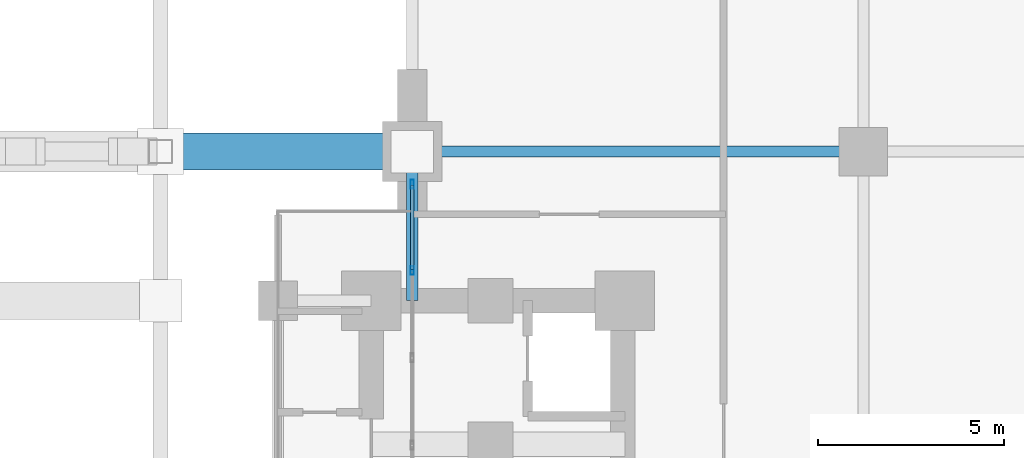
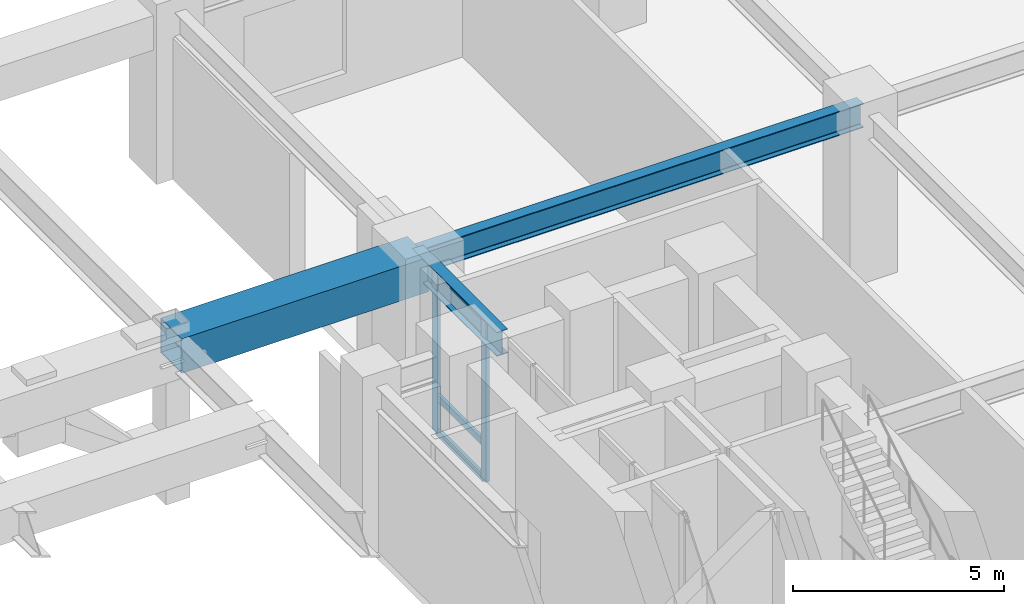
# One storey, part 12 of 26: 5 members, 3 beams, 1 element without a shape of its own.
"""IFC4 building model written with IfcOpenShell, lengths in metres."""

from ifc_helpers import new_model, si_unit, direction, frame, origin, origin_2d, place, context, subcontext, project, spatial, hollow_rectangle, i_section, extrude, material, layer, layer_set, material_profile, profile_set, type_object, element, aggregate, save


model = new_model("IFC4")

# Units and contexts
model_context = context("Model", 3, precision=1e-05, world=origin(), true_north=direction((0.0, 1.0)))
body_context = subcontext(model_context, "Body", "Model", "MODEL_VIEW")
ifc_project = project(units=[si_unit("LENGTHUNIT", "METRE"), si_unit("AREAUNIT", "SQUARE_METRE"), si_unit("VOLUMEUNIT", "CUBIC_METRE"), si_unit("PLANEANGLEUNIT", "RADIAN"), si_unit("MASSUNIT", "GRAM", prefix="KILO")], contexts=[model_context])

# Site, building, storey
site_placement = place(None, origin())
site = spatial("IfcSite", under=ifc_project, at=site_placement, CompositionType="ELEMENT")
building_placement = place(site_placement, origin())
building = spatial("IfcBuilding", under=site, at=building_placement, Name="Voryun Gate Residences", CompositionType="ELEMENT")
storey_placement = place(building_placement, frame((0.0, 0.0, 15.60009765625)))
storey = spatial("IfcBuildingStorey", under=building, at=storey_placement, Name="L03", CompositionType="ELEMENT", Elevation=15.60009765625)

# Beams
ifc_material_1 = material(Name="Steel SM420", Category="steel")
ifc_material_profile_1 = material_profile(ifc_material_1, hollow_rectangle(XDim=1.0, YDim=1.0, WallThickness=0.031982421875, at=origin_2d()), Name="BOX-1000x1000x32")
ifc_profile_set_1 = profile_set([ifc_material_profile_1], Name="Steel SM420")
beam_type_1 = type_object("IfcBeamType", Name="BM_ARCH_TIE", PredefinedType="USERDEFINED", material=ifc_profile_set_1)
beam_1_placement = place(storey_placement, frame((6.75, 11.39990234375, 4.2998046875), z_axis=(1.0, 0.0, 0.0), x_axis=(0.0, 1.0, 0.0)))
element("IfcBeam", 1, at=beam_1_placement, inside=storey, type_object=beam_type_1, Name="Parabolic Tied-Arch Tie Girder N Bay 3", ObjectType="GIRDER", PredefinedType="USERDEFINED", context=body_context, shape_type="SweptSolid", body=[
    extrude(hollow_rectangle(XDim=1.0, YDim=1.0, WallThickness=0.031982421875, at=origin_2d()), origin(), (0.0, 0.0, 1.0), 6.75),
])
ifc_material_2 = material(Name="Steel SM355", Category="steel")
ifc_material_profile_2 = material_profile(ifc_material_2, i_section(OverallWidth=0.300048828125, OverallDepth=0.699951171875, WebThickness=0.012939453125, FlangeThickness=0.02392578125, FilletRadius=0.01806640625, at=origin_2d()), Name="H-700x300x13x24")
ifc_profile_set_2 = profile_set([ifc_material_profile_2], Name="Steel SM355")
beam_type_2 = type_object("IfcBeamType", Name="BM_GIRD_700", PredefinedType="USERDEFINED", material=ifc_profile_set_2)
beam_2_placement = place(storey_placement, frame((13.5, 11.39990234375, 4.449951171875), z_axis=(1.0, 0.0, 0.0), x_axis=(0.0, 1.0, 0.0)))
element("IfcBeam", 2, at=beam_2_placement, inside=storey, type_object=beam_type_2, Name="BM-L03-PEX-+11.4-0", ObjectType="GIRDER", PredefinedType="USERDEFINED", context=body_context, shape_type="SweptSolid", body=[
    extrude(i_section(OverallWidth=0.300048828125, OverallDepth=0.699951171875, WebThickness=0.012939453125, FlangeThickness=0.02392578125, FilletRadius=0.01806640625, at=origin_2d()), origin(), (0.0, 0.0, 1.0), 12.10009765625),
])
beam_3_placement = place(storey_placement, frame((13.5, 7.39990234375, 4.449951171875), z_axis=(0.0, 1.0, 0.0), x_axis=(-1.0, 0.0, 0.0)))
element("IfcBeam", 3, at=beam_3_placement, inside=storey, type_object=beam_type_2, Name="BM-L03-PEYA-+7.4", ObjectType="GIRDER", PredefinedType="USERDEFINED", context=body_context, shape_type="SweptSolid", body=[
    extrude(i_section(OverallWidth=0.300048828125, OverallDepth=0.699951171875, WebThickness=0.012939453125, FlangeThickness=0.02392578125, FilletRadius=0.01806640625, at=origin_2d()), origin(), (0.0, 0.0, 1.0), 4.0),
])

# Curtain wall, members
ifc_material_3 = material(Name="Anodised aluminium", Category="aluminium")
ifc_layer = layer(ifc_material_3, 0.239990234375, Name="CW_SYS_ARCH_DARK_GLASS")
ifc_layer_set = layer_set([ifc_layer], Name="Anodised aluminium")
curtain_wall_type = type_object("IfcCurtainWallType", Name="CW_SYS_ARCH_DARK_GLASS", PredefinedType="NOTDEFINED", material=ifc_layer_set)
curtain_wall_placement = place(storey_placement, origin())
curtain_wall = element("IfcCurtainWall", 4, at=curtain_wall_placement, inside=storey, type_object=curtain_wall_type, Name="Curtain wall CW2-L03-EP-M", PredefinedType="NOTDEFINED")
ifc_material_4 = material(Name="Anodised aluminium", Category="aluminium")
ifc_material_profile_3 = material_profile(ifc_material_4, hollow_rectangle(XDim=0.090087890625, YDim=0.239990234375, WallThickness=0.006103515625, at=origin_2d()), Name="ALU-MULL-240x90x6")
ifc_profile_set_3 = profile_set([ifc_material_profile_3], Name="Anodised aluminium")
member_type_1 = type_object("IfcMemberType", Name="CW_MULL_ARCH", PredefinedType="MULLION", material=ifc_profile_set_3)
member_1_placement = place(storey_placement, frame((13.5, 8.20947265625, 0.0), z_axis=(0.0, 0.0, 1.0), x_axis=(-1.0, 0.0, 0.0)))
member_1 = element("IfcMember", 5, at=member_1_placement, type_object=member_type_1, Name="CW2 mullion 9", PredefinedType="MULLION", context=body_context, shape_type="SweptSolid", body=[
    extrude(hollow_rectangle(XDim=0.090087890625, YDim=0.239990234375, WallThickness=0.006103515625, at=origin_2d()), origin(), (0.0, 0.0, 1.0), 4.699951171875),
])
member_2_placement = place(storey_placement, frame((13.5, 10.52490234375, 0.0), z_axis=(0.0, 0.0, 1.0), x_axis=(-1.0, 0.0, 0.0)))
member_2 = element("IfcMember", 6, at=member_2_placement, type_object=member_type_1, Name="CW2 mullion 10", PredefinedType="MULLION", context=body_context, shape_type="SweptSolid", body=[
    extrude(hollow_rectangle(XDim=0.090087890625, YDim=0.239990234375, WallThickness=0.006103515625, at=origin_2d()), origin(), (0.0, 0.0, 1.0), 4.699951171875),
])
ifc_material_5 = material(Name="Anodised aluminium", Category="aluminium")
ifc_material_profile_4 = material_profile(ifc_material_5, hollow_rectangle(XDim=0.090087890625, YDim=0.199951171875, WallThickness=0.006103515625, at=origin_2d()), Name="ALU-TRAN-200x90x6")
ifc_profile_set_4 = profile_set([ifc_material_profile_4], Name="Anodised aluminium")
member_type_2 = type_object("IfcMemberType", Name="CW_TRAN_ARCH", PredefinedType="USERDEFINED", material=ifc_profile_set_4)
member_3_placement = place(storey_placement, frame((13.5, 8.239501953125, 0.02978515625), z_axis=(0.0, 1.0, 0.0), x_axis=(-1.0, 0.0, 0.0)))
member_3 = element("IfcMember", 7, at=member_3_placement, type_object=member_type_2, Name="CW2 transom 9.1", ObjectType="TRANSOM", PredefinedType="USERDEFINED", context=body_context, shape_type="SweptSolid", body=[
    extrude(hollow_rectangle(XDim=0.090087890625, YDim=0.199951171875, WallThickness=0.006103515625, at=origin_2d()), origin(), (0.0, 0.0, 1.0), 2.255615234375),
])
member_4_placement = place(storey_placement, frame((13.5, 8.239501953125, 1.0498046875), z_axis=(0.0, 1.0, 0.0), x_axis=(-1.0, 0.0, 0.0)))
member_4 = element("IfcMember", 8, at=member_4_placement, type_object=member_type_2, Name="CW2 transom 9.2", ObjectType="TRANSOM", PredefinedType="USERDEFINED", context=body_context, shape_type="SweptSolid", body=[
    extrude(hollow_rectangle(XDim=0.090087890625, YDim=0.199951171875, WallThickness=0.006103515625, at=origin_2d()), origin(), (0.0, 0.0, 1.0), 2.255615234375),
])
member_5_placement = place(storey_placement, frame((13.5, 8.239501953125, 4.669921875), z_axis=(0.0, 1.0, 0.0), x_axis=(-1.0, 0.0, 0.0)))
member_5 = element("IfcMember", 9, at=member_5_placement, type_object=member_type_2, Name="CW2 transom 9.3", ObjectType="TRANSOM", PredefinedType="USERDEFINED", context=body_context, shape_type="SweptSolid", body=[
    extrude(hollow_rectangle(XDim=0.090087890625, YDim=0.199951171875, WallThickness=0.006103515625, at=origin_2d()), origin(), (0.0, 0.0, 1.0), 2.255615234375),
])
aggregate(curtain_wall, [member_1, member_2, member_3, member_4, member_5])

save(model, "model.ifc")
